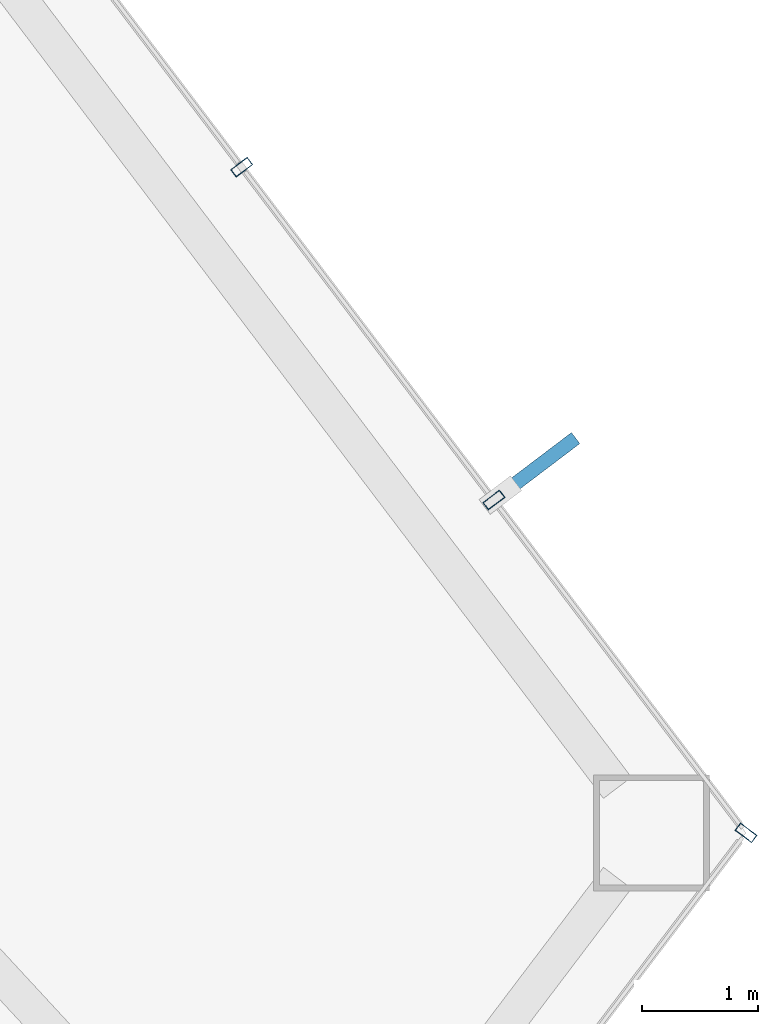
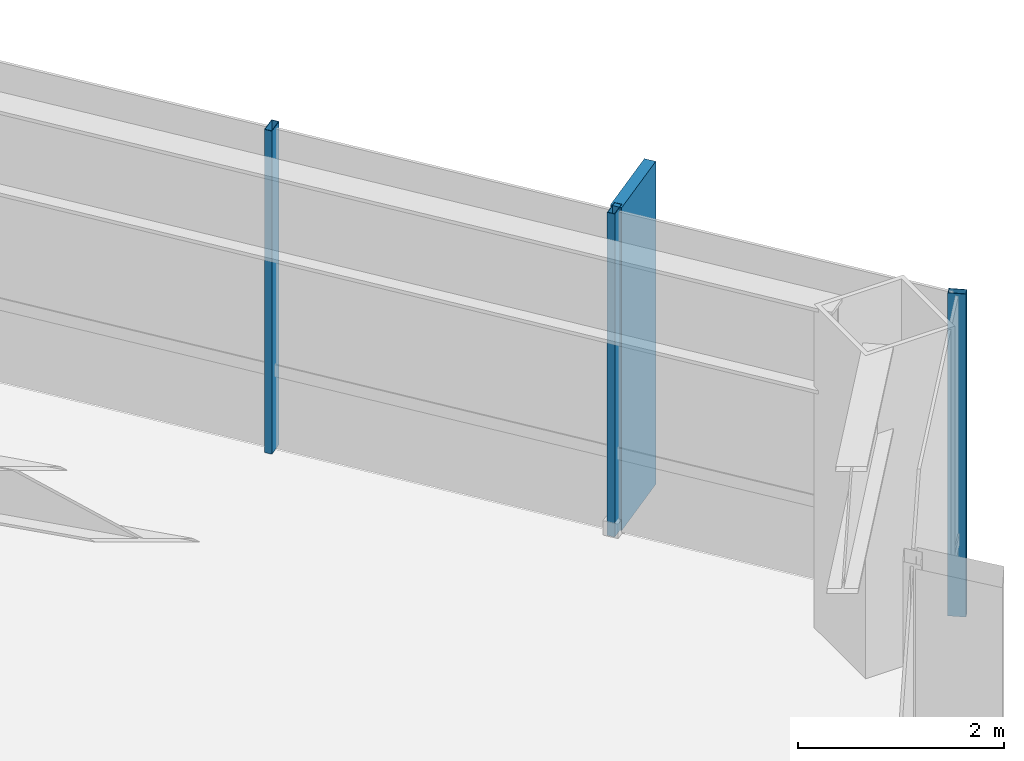
# One storey, part 19 of 25: 4 members, 2 elements without a shape of their own.
"""IFC4 building model written with IfcOpenShell, lengths in metres."""

from ifc_helpers import new_model, si_unit, direction, frame, origin, origin_2d, place, context, subcontext, project, spatial, rectangle, hollow_rectangle, extrude, material, layer, layer_set, material_profile, profile_set, type_object, element, aggregate, save


model = new_model("IFC4")

# Units and contexts
model_context = context("Model", 3, precision=1e-05, world=origin(), true_north=direction((0.0, 1.0)))
body_context = subcontext(model_context, "Body", "Model", "MODEL_VIEW")
ifc_project = project(units=[si_unit("LENGTHUNIT", "METRE"), si_unit("AREAUNIT", "SQUARE_METRE"), si_unit("VOLUMEUNIT", "CUBIC_METRE"), si_unit("PLANEANGLEUNIT", "RADIAN"), si_unit("MASSUNIT", "GRAM", prefix="KILO")], contexts=[model_context])

# Site, building, storey
site_placement = place(None, origin())
site = spatial("IfcSite", under=ifc_project, at=site_placement, CompositionType="ELEMENT")
building_placement = place(site_placement, origin())
building = spatial("IfcBuilding", under=site, at=building_placement, Name="Zarrinselat Tower", CompositionType="ELEMENT")
storey_placement = place(building_placement, frame((0.0, 0.0, 52.02001953125)))
storey = spatial("IfcBuildingStorey", under=building, at=storey_placement, Name="L12", CompositionType="ELEMENT", Elevation=52.02001953125)

# Curtain wall, member
ifc_material_1 = material(Name="Extruded Aluminium Alloy EN AW-6063 T6", Category="aluminium")
ifc_layer = layer(ifc_material_1, 0.18505859375)
ifc_layer_set = layer_set([ifc_layer], Name="Extruded Aluminium Alloy EN AW-6063 T6")
curtain_wall_type = type_object("IfcCurtainWallType", Name="CWS-OFF", PredefinedType="NOTDEFINED", material=ifc_layer_set)
curtain_wall_1_placement = place(storey_placement, origin())
curtain_wall_1 = element("IfcCurtainWall", 1, at=curtain_wall_1_placement, inside=storey, type_object=curtain_wall_type, Name="L12 Unitised Curtain Wall CW-L12-E05", PredefinedType="NOTDEFINED")
ifc_material_2 = material(Name="Extruded Aluminium Alloy EN AW-6063 T6", Category="aluminium")
ifc_material_profile_1 = material_profile(ifc_material_2, hollow_rectangle(XDim=0.080078125, YDim=0.179931640625, WallThickness=0.0048828125, at=origin_2d()), Name="RHS 180x80x5")
ifc_profile_set_1 = profile_set([ifc_material_profile_1], Name="Extruded Aluminium Alloy EN AW-6063 T6")
member_type_1 = type_object("IfcMemberType", Name="MEM-CW-MUL", PredefinedType="MULLION", material=ifc_profile_set_1)
member_1_placement = place(storey_placement, frame((61.77734375, 35.56591796875, 0.0), z_axis=(0.0, 0.0, 1.0), x_axis=(0.603860811653, 0.797089781737, 0.0)))
member_1 = element("IfcMember", 2, at=member_1_placement, type_object=member_type_1, Name="CW-L12-E05 Mullion 6", PredefinedType="MULLION", context=body_context, shape_type="SweptSolid", body=[
    extrude(hollow_rectangle(XDim=0.080078125, YDim=0.179931640625, WallThickness=0.0048828125, at=origin_2d()), origin(), (0.0, 0.0, 1.0), 3.820068359375),
])
aggregate(curtain_wall_1, [member_1])

# Curtain wall, members
curtain_wall_2_placement = place(storey_placement, origin())
curtain_wall_2 = element("IfcCurtainWall", 3, at=curtain_wall_2_placement, inside=storey, type_object=curtain_wall_type, Name="L12 Unitised Curtain Wall CW-L12-E06", PredefinedType="NOTDEFINED")
member_2_placement = place(storey_placement, frame((59.601318359375, 38.438232421875, 0.0), z_axis=(0.0, 0.0, 1.0), x_axis=(-0.603856726294, 0.797092876715, 0.0)))
member_2 = element("IfcMember", 4, at=member_2_placement, type_object=member_type_1, Name="CW-L12-E06 Mullion 1", PredefinedType="MULLION", context=body_context, shape_type="SweptSolid", body=[
    extrude(hollow_rectangle(XDim=0.080078125, YDim=0.179931640625, WallThickness=0.0048828125, at=origin_2d()), origin(), (0.0, 0.0, 1.0), 3.820068359375),
])
member_3_placement = place(storey_placement, frame((57.42529296875, 41.310791015625, 0.0), z_axis=(0.0, 0.0, 1.0), x_axis=(-0.603856726294, 0.797092876715, 0.0)))
member_3 = element("IfcMember", 5, at=member_3_placement, type_object=member_type_1, Name="CW-L12-E06 Mullion 2", PredefinedType="MULLION", context=body_context, shape_type="SweptSolid", body=[
    extrude(hollow_rectangle(XDim=0.080078125, YDim=0.179931640625, WallThickness=0.0048828125, at=origin_2d()), origin(), (0.0, 0.0, 1.0), 3.820068359375),
])
ifc_material_3 = material(Name="Honed Cream Travertine Stone", Category="masonry")
ifc_material_profile_2 = material_profile(ifc_material_3, rectangle(XDim=0.1201171875, YDim=0.85009765625, at=origin_2d()), Name="FIN 850x120")
ifc_profile_set_2 = profile_set([ifc_material_profile_2], Name="Honed Cream Travertine Stone")
member_type_2 = type_object("IfcMemberType", Name="MEM-STONE-FIN", PredefinedType="USERDEFINED", material=ifc_profile_set_2)
member_4_placement = place(storey_placement, frame((59.968017578125, 38.716064453125, 0.0), z_axis=(0.0, 0.0, 1.0), x_axis=(0.603856726294, -0.797092876715, 0.0)))
member_4 = element("IfcMember", 6, at=member_4_placement, type_object=member_type_2, Name="L12 Stone Shading Fin CW-L12-E06-01", ObjectType="FIN", PredefinedType="USERDEFINED", context=body_context, shape_type="SweptSolid", body=[
    extrude(rectangle(XDim=0.1201171875, YDim=0.85009765625, at=origin_2d()), origin(), (0.0, 0.0, 1.0), 3.820068359375),
])
aggregate(curtain_wall_2, [member_2, member_4, member_3])

save(model, "model.ifc")
